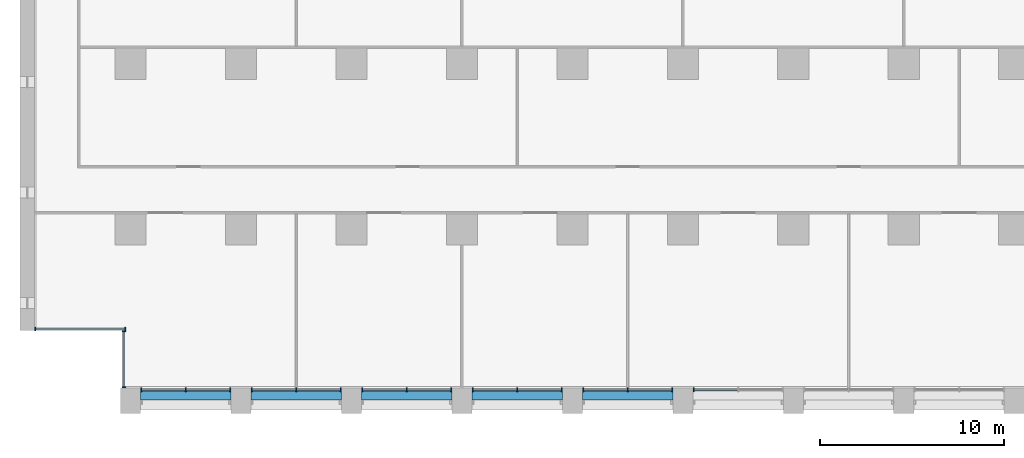
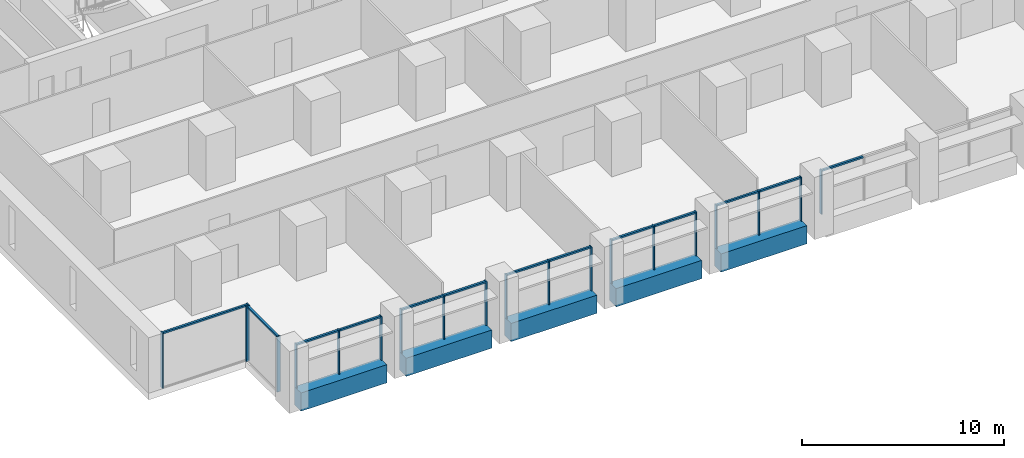
# One storey, part 2 of 18: 33 members, 5 beams, 8 elements without a shape of their own.
"""IFC4 building model written with IfcOpenShell, lengths in metres."""

import ifcopenshell
import ifcopenshell.guid

model = None  # the IFC model being written
_history = None  # IfcOwnerHistory: only IFC2X3 demands one
_inside = {}  # id of a spatial element -> (the spatial element, [elements in it])
_under = {}  # id of a project, library or spatial element -> (it, [spatial elements below it])
_declared = {}  # id of a project -> (the project, [libraries it declares])
_typed = {}  # id of a type object -> (the type object, [elements of that type])
_made_of = {}  # id of a material, layer set ... -> (it, [elements and type objects made of it])


def new_model(schema):
    """Start an empty IFC model of exactly this schema.

    Asked for "IFC4X3", IfcOpenShell would pick the latest addendum, in which some entities
    have other attributes; the version numbers below select the first issue.
    IFC2X3 requires an IfcOwnerHistory on every rooted entity: one is made here for all.
    """
    global model, _history
    if schema == "IFC4X3":
        model = ifcopenshell.file(schema_version=(4, 3, 0, 0))
    else:
        model = ifcopenshell.file(schema=schema)
    _inside.clear()
    _under.clear()
    _declared.clear()
    _typed.clear()
    _made_of.clear()
    _history = None
    if model.schema == "IFC2X3":
        org = make("IfcOrganization", Name="unknown")
        user = make(
            "IfcPersonAndOrganization",
            ThePerson=make("IfcPerson", FamilyName="unknown"),
            TheOrganization=org,
        )
        app = make(
            "IfcApplication",
            ApplicationDeveloper=org,
            Version="unknown",
            ApplicationFullName="unknown",
            ApplicationIdentifier="unknown",
        )
        _history = make(
            "IfcOwnerHistory",
            OwningUser=user,
            OwningApplication=app,
            ChangeAction="ADDED",
            CreationDate=0,
        )
    return model


def make(cls, **values):
    """One entity of the class cls with the attributes given. An attribute that is None is left unset."""
    return model.create_entity(
        cls, **{name: value for name, value in values.items() if value is not None}
    )


def rooted(cls, **values):
    """An entity with a GlobalId (a new one), such as an element, a storey or a relation."""
    return make(cls, GlobalId=ifcopenshell.guid.new(), OwnerHistory=_history, **values)


def si_unit(unit_type, name, prefix=None):
    """IfcSIUnit, for example si_unit("LENGTHUNIT", "METRE", prefix="MILLI")."""
    return make("IfcSIUnit", UnitType=unit_type, Prefix=prefix, Name=name)


def assignment(units):
    """IfcUnitAssignment: the units of a project."""
    return None if units is None else make("IfcUnitAssignment", Units=units)


def point(xyz):
    """IfcCartesianPoint."""
    return None if xyz is None else make("IfcCartesianPoint", Coordinates=xyz)


def direction(xyz):
    """IfcDirection."""
    return None if xyz is None else make("IfcDirection", DirectionRatios=xyz)


def frame(location, z_axis=None, x_axis=None):
    """IfcAxis2Placement3D, a coordinate frame: its origin and axes. An axis left out is left unset."""
    return make(
        "IfcAxis2Placement3D",
        Location=point(location),
        Axis=direction(z_axis),
        RefDirection=direction(x_axis),
    )


def frame_2d(location, x_axis=None):
    """IfcAxis2Placement2D, a coordinate frame in the plane: its origin and x axis."""
    return make(
        "IfcAxis2Placement2D", Location=point(location), RefDirection=direction(x_axis)
    )


def origin():
    """The frame at (0, 0, 0) with its axes left unset."""
    return frame((0.0, 0.0, 0.0))


def origin_2d():
    """The frame at (0, 0) in the plane with its x axis left unset."""
    return frame_2d((0.0, 0.0))


def place(relative_to, where):
    """IfcLocalPlacement: puts the frame where relative to a parent placement (None: the world)."""
    return make(
        "IfcLocalPlacement", PlacementRelTo=relative_to, RelativePlacement=where
    )


def context(
    kind, dimensions, precision=None, world=None, true_north=None, identifier=None
):
    """IfcGeometricRepresentationContext, for example the 3D "Model" context."""
    return make(
        "IfcGeometricRepresentationContext",
        ContextIdentifier=identifier,
        ContextType=kind,
        CoordinateSpaceDimension=dimensions,
        Precision=precision,
        WorldCoordinateSystem=world,
        TrueNorth=true_north,
    )


def subcontext(parent, identifier, kind, view, scale=None):
    """IfcGeometricRepresentationSubContext, for example "Body" below "Model"."""
    return make(
        "IfcGeometricRepresentationSubContext",
        ContextIdentifier=identifier,
        ContextType=kind,
        ParentContext=parent,
        TargetScale=scale,
        TargetView=view,
    )


def project(units=None, contexts=None):
    """IfcProject with its units and contexts."""
    return rooted(
        "IfcProject",
        Name="project",
        RepresentationContexts=contexts,
        UnitsInContext=assignment(units),
    )


def spatial(cls, under=None, at=None, **own):
    """A site, building, storey or space (cls), placed at a placement, below another one or the project."""
    s = rooted(cls, ObjectPlacement=at, **own)
    if under is not None:
        _under.setdefault(under.id(), (under, []))[1].append(s)
    return s


def profile(cls, at=None, kind="AREA", **sizes):
    """A parametric profile (cls). Its sizes go by their IFC names, for example OverallWidth=200.0."""
    return make(cls, ProfileType=kind, Position=at, **sizes)


def rectangle(**sizes):
    """IfcRectangleProfileDef."""
    return profile("IfcRectangleProfileDef", **sizes)


def extrude(swept, where, along, depth):
    """IfcExtrudedAreaSolid: the profile swept, set in the frame where, extruded along a direction by depth."""
    return make(
        "IfcExtrudedAreaSolid",
        SweptArea=swept,
        Position=where,
        ExtrudedDirection=direction(along),
        Depth=depth,
    )


def shape(context_of_items, identifier, shape_type, items):
    """IfcShapeRepresentation: the items that make up one representation, for example the "Body"."""
    return make(
        "IfcShapeRepresentation",
        ContextOfItems=context_of_items,
        RepresentationIdentifier=identifier,
        RepresentationType=shape_type,
        Items=items,
    )


def material(Name=None, Category=None):
    """IfcMaterial."""
    return make("IfcMaterial", Name=Name, Category=Category)


def material_profile(
    of_material, cross_section, Name=None, Category=None, Priority=None
):
    """IfcMaterialProfile: a cross section and its material."""
    return make(
        "IfcMaterialProfile",
        Name=Name,
        Material=of_material,
        Profile=cross_section,
        Priority=Priority,
        Category=Category,
    )


def profile_set(profiles, Name=None, composite=None):
    """IfcMaterialProfileSet."""
    return make(
        "IfcMaterialProfileSet",
        Name=Name,
        MaterialProfiles=profiles,
        CompositeProfile=composite,
    )


def made_of(thing, what):
    """Note that an element or type object is made of a material, layer set ...; save() writes the relation."""
    if what is not None:
        _made_of.setdefault(what.id(), (what, []))[1].append(thing)
    return thing


def type_object(cls, material=None, **own):
    """A type object (cls), such as IfcWallType, which elements share."""
    return made_of(rooted(cls, **own), material)


def element(
    cls,
    number,
    at=None,
    inside=None,
    cuts=None,
    type_object=None,
    material=None,
    context=None,
    identifier="Body",
    shape_type=None,
    held_by="IfcProductDefinitionShape",
    body=None,
    shapes=None,
    **own,
):
    """One element of the class cls, such as IfcWall. Its Tag is "e" and its number.

    at: its placement. inside: the storey or other place that contains it. cuts: it is an
    opening in that element (IfcRelVoidsElement). A single representation is given by context,
    identifier, shape_type and body (its items); several are given by shapes. held_by: the class
    of the entity that holds the representations. save() writes the other relations.
    """
    e = rooted(cls, Tag="e%d" % number, ObjectPlacement=at, **own)
    if body is not None:
        shapes = [shape(context, identifier, shape_type, body)]
    if shapes is not None:
        e.Representation = make(held_by, Representations=shapes)
    if inside is not None:
        _inside.setdefault(inside.id(), (inside, []))[1].append(e)
    if cuts is not None:
        rooted(
            "IfcRelVoidsElement", RelatingBuildingElement=cuts, RelatedOpeningElement=e
        )
    if type_object is not None:
        _typed.setdefault(type_object.id(), (type_object, []))[1].append(e)
    return made_of(e, material)


def aggregate(whole, parts):
    """IfcRelAggregates: a whole, such as a stair, and the parts it consists of."""
    return rooted("IfcRelAggregates", RelatingObject=whole, RelatedObjects=parts)


def save(model, path):
    """Write the relations noted so far, then the file.

    IfcRelAggregates (storeys below a building ...), IfcRelContainedInSpatialStructure (elements
    in a storey), IfcRelDefinesByType, IfcRelAssociatesMaterial and IfcRelDeclares: one each for
    every whole, place, type object, material and project.
    """
    for whole, parts in _under.values():
        aggregate(whole, parts)
    for where, things in _inside.values():
        rooted(
            "IfcRelContainedInSpatialStructure",
            RelatedElements=things,
            RelatingStructure=where,
        )
    for kind, things in _typed.values():
        rooted("IfcRelDefinesByType", RelatedObjects=things, RelatingType=kind)
    for what, things in _made_of.values():
        rooted("IfcRelAssociatesMaterial", RelatedObjects=things, RelatingMaterial=what)
    for by, libraries in _declared.values():
        rooted("IfcRelDeclares", RelatingContext=by, RelatedDefinitions=libraries)
    model.write(path)


model = new_model("IFC4")

# Units and contexts
model_context = context("Model", 3, precision=1e-05, world=origin(), true_north=direction((0.0, 1.0)))
body_context = subcontext(model_context, "Body", "Model", "MODEL_VIEW")
ifc_project = project(units=[si_unit("LENGTHUNIT", "METRE"), si_unit("AREAUNIT", "SQUARE_METRE"), si_unit("VOLUMEUNIT", "CUBIC_METRE"), si_unit("PLANEANGLEUNIT", "RADIAN"), si_unit("MASSUNIT", "GRAM", prefix="KILO")], contexts=[model_context])

# Site, building, storey
site_placement = place(None, origin())
site = spatial("IfcSite", under=ifc_project, at=site_placement, CompositionType="ELEMENT")
building_placement = place(site_placement, origin())
building = spatial("IfcBuilding", under=site, at=building_placement, Name="Calvaro Tower", CompositionType="ELEMENT")
storey_placement = place(building_placement, frame((0.0, 0.0, 48.75)))
storey = spatial("IfcBuildingStorey", under=building, at=storey_placement, Name="L11", CompositionType="ELEMENT", Elevation=48.75)

# Curtain wall, members
ifc_material_1 = material(Name="Anodised aluminium", Category="aluminium")
curtain_wall_type = type_object("IfcCurtainWallType", Name="Office curtain wall, lower zone", PredefinedType="NOTDEFINED", material=ifc_material_1)
curtain_wall_1_placement = place(storey_placement, origin())
curtain_wall_1 = element("IfcCurtainWall", 1, at=curtain_wall_1_placement, inside=storey, type_object=curtain_wall_type, Name="CW1 south curtain wall", PredefinedType="NOTDEFINED")
ifc_material_2 = material(Name="Anodised aluminium", Category="aluminium")
ifc_material_profile_1 = material_profile(ifc_material_2, rectangle(XDim=0.199951171875, YDim=0.06005859375, at=origin_2d()), Name="Mullion S1 60 x 200")
ifc_profile_set_1 = profile_set([ifc_material_profile_1], Name="Anodised aluminium")
member_type_1 = type_object("IfcMemberType", Name="Mullion S1 60 x 200", PredefinedType="MULLION", material=ifc_profile_set_1)
member_1_placement = place(storey_placement, frame((6.580078125, 1.300048828125, 0.0), z_axis=(0.0, 0.0, 1.0), x_axis=(0.0, 1.0, 0.0)))
member_1 = element("IfcMember", 2, at=member_1_placement, type_object=member_type_1, Name="CW1 mullion 1", PredefinedType="MULLION", context=body_context, shape_type="SweptSolid", body=[
    extrude(rectangle(XDim=0.199951171875, YDim=0.06005859375, at=origin_2d()), origin(), (0.0, 0.0, 1.0), 2.64990234375),
])
member_2_placement = place(storey_placement, frame((9.0, 1.300048828125, 0.0), z_axis=(0.0, 0.0, 1.0), x_axis=(0.0, 1.0, 0.0)))
member_2 = element("IfcMember", 3, at=member_2_placement, type_object=member_type_1, Name="CW1 mullion 2", PredefinedType="MULLION", context=body_context, shape_type="SweptSolid", body=[
    extrude(rectangle(XDim=0.199951171875, YDim=0.06005859375, at=origin_2d()), origin(), (0.0, 0.0, 1.0), 2.64990234375),
])
member_3_placement = place(storey_placement, frame((11.419921875, 1.300048828125, 0.0), z_axis=(0.0, 0.0, 1.0), x_axis=(0.0, 1.0, 0.0)))
member_3 = element("IfcMember", 4, at=member_3_placement, type_object=member_type_1, Name="CW1 mullion 3", PredefinedType="MULLION", context=body_context, shape_type="SweptSolid", body=[
    extrude(rectangle(XDim=0.199951171875, YDim=0.06005859375, at=origin_2d()), origin(), (0.0, 0.0, 1.0), 2.64990234375),
])

curtain_wall_2_placement = place(storey_placement, origin())
curtain_wall_2 = element("IfcCurtainWall", 5, at=curtain_wall_2_placement, inside=storey, type_object=curtain_wall_type, Name="CW1 south curtain wall", PredefinedType="NOTDEFINED")
member_4_placement = place(storey_placement, frame((12.580078125, 1.300048828125, 0.0), z_axis=(0.0, 0.0, 1.0), x_axis=(0.0, 1.0, 0.0)))
member_4 = element("IfcMember", 6, at=member_4_placement, type_object=member_type_1, Name="CW1 mullion 1", PredefinedType="MULLION", context=body_context, shape_type="SweptSolid", body=[
    extrude(rectangle(XDim=0.199951171875, YDim=0.06005859375, at=origin_2d()), origin(), (0.0, 0.0, 1.0), 2.64990234375),
])
member_5_placement = place(storey_placement, frame((15.0, 1.300048828125, 0.0), z_axis=(0.0, 0.0, 1.0), x_axis=(0.0, 1.0, 0.0)))
member_5 = element("IfcMember", 7, at=member_5_placement, type_object=member_type_1, Name="CW1 mullion 2", PredefinedType="MULLION", context=body_context, shape_type="SweptSolid", body=[
    extrude(rectangle(XDim=0.199951171875, YDim=0.06005859375, at=origin_2d()), origin(), (0.0, 0.0, 1.0), 2.64990234375),
])
member_6_placement = place(storey_placement, frame((17.419921875, 1.300048828125, 0.0), z_axis=(0.0, 0.0, 1.0), x_axis=(0.0, 1.0, 0.0)))
member_6 = element("IfcMember", 8, at=member_6_placement, type_object=member_type_1, Name="CW1 mullion 3", PredefinedType="MULLION", context=body_context, shape_type="SweptSolid", body=[
    extrude(rectangle(XDim=0.199951171875, YDim=0.06005859375, at=origin_2d()), origin(), (0.0, 0.0, 1.0), 2.64990234375),
])

curtain_wall_3_placement = place(storey_placement, origin())
curtain_wall_3 = element("IfcCurtainWall", 9, at=curtain_wall_3_placement, inside=storey, type_object=curtain_wall_type, Name="CW1 south curtain wall", PredefinedType="NOTDEFINED")
member_7_placement = place(storey_placement, frame((18.580078125, 1.300048828125, 0.0), z_axis=(0.0, 0.0, 1.0), x_axis=(0.0, 1.0, 0.0)))
member_7 = element("IfcMember", 10, at=member_7_placement, type_object=member_type_1, Name="CW1 mullion 1", PredefinedType="MULLION", context=body_context, shape_type="SweptSolid", body=[
    extrude(rectangle(XDim=0.199951171875, YDim=0.06005859375, at=origin_2d()), origin(), (0.0, 0.0, 1.0), 2.64990234375),
])
member_8_placement = place(storey_placement, frame((21.0, 1.300048828125, 0.0), z_axis=(0.0, 0.0, 1.0), x_axis=(0.0, 1.0, 0.0)))
member_8 = element("IfcMember", 11, at=member_8_placement, type_object=member_type_1, Name="CW1 mullion 2", PredefinedType="MULLION", context=body_context, shape_type="SweptSolid", body=[
    extrude(rectangle(XDim=0.199951171875, YDim=0.06005859375, at=origin_2d()), origin(), (0.0, 0.0, 1.0), 2.64990234375),
])
member_9_placement = place(storey_placement, frame((23.419921875, 1.300048828125, 0.0), z_axis=(0.0, 0.0, 1.0), x_axis=(0.0, 1.0, 0.0)))
member_9 = element("IfcMember", 12, at=member_9_placement, type_object=member_type_1, Name="CW1 mullion 3", PredefinedType="MULLION", context=body_context, shape_type="SweptSolid", body=[
    extrude(rectangle(XDim=0.199951171875, YDim=0.06005859375, at=origin_2d()), origin(), (0.0, 0.0, 1.0), 2.64990234375),
])

curtain_wall_4_placement = place(storey_placement, origin())
curtain_wall_4 = element("IfcCurtainWall", 13, at=curtain_wall_4_placement, inside=storey, type_object=curtain_wall_type, Name="CW1 south curtain wall", PredefinedType="NOTDEFINED")
member_10_placement = place(storey_placement, frame((24.580078125, 1.300048828125, 0.0), z_axis=(0.0, 0.0, 1.0), x_axis=(0.0, 1.0, 0.0)))
member_10 = element("IfcMember", 14, at=member_10_placement, type_object=member_type_1, Name="CW1 mullion 1", PredefinedType="MULLION", context=body_context, shape_type="SweptSolid", body=[
    extrude(rectangle(XDim=0.199951171875, YDim=0.06005859375, at=origin_2d()), origin(), (0.0, 0.0, 1.0), 2.64990234375),
])
member_11_placement = place(storey_placement, frame((27.0, 1.300048828125, 0.0), z_axis=(0.0, 0.0, 1.0), x_axis=(0.0, 1.0, 0.0)))
member_11 = element("IfcMember", 15, at=member_11_placement, type_object=member_type_1, Name="CW1 mullion 2", PredefinedType="MULLION", context=body_context, shape_type="SweptSolid", body=[
    extrude(rectangle(XDim=0.199951171875, YDim=0.06005859375, at=origin_2d()), origin(), (0.0, 0.0, 1.0), 2.64990234375),
])
member_12_placement = place(storey_placement, frame((29.419921875, 1.300048828125, 0.0), z_axis=(0.0, 0.0, 1.0), x_axis=(0.0, 1.0, 0.0)))
member_12 = element("IfcMember", 16, at=member_12_placement, type_object=member_type_1, Name="CW1 mullion 3", PredefinedType="MULLION", context=body_context, shape_type="SweptSolid", body=[
    extrude(rectangle(XDim=0.199951171875, YDim=0.06005859375, at=origin_2d()), origin(), (0.0, 0.0, 1.0), 2.64990234375),
])

curtain_wall_5_placement = place(storey_placement, origin())
curtain_wall_5 = element("IfcCurtainWall", 17, at=curtain_wall_5_placement, inside=storey, type_object=curtain_wall_type, Name="CW1 south curtain wall", PredefinedType="NOTDEFINED")
member_13_placement = place(storey_placement, frame((30.580078125, 1.300048828125, 0.0), z_axis=(0.0, 0.0, 1.0), x_axis=(0.0, 1.0, 0.0)))
member_13 = element("IfcMember", 18, at=member_13_placement, type_object=member_type_1, Name="CW1 mullion 1", PredefinedType="MULLION", context=body_context, shape_type="SweptSolid", body=[
    extrude(rectangle(XDim=0.199951171875, YDim=0.06005859375, at=origin_2d()), origin(), (0.0, 0.0, 1.0), 2.64990234375),
])
member_14_placement = place(storey_placement, frame((33.0, 1.300048828125, 0.0), z_axis=(0.0, 0.0, 1.0), x_axis=(0.0, 1.0, 0.0)))
member_14 = element("IfcMember", 19, at=member_14_placement, type_object=member_type_1, Name="CW1 mullion 2", PredefinedType="MULLION", context=body_context, shape_type="SweptSolid", body=[
    extrude(rectangle(XDim=0.199951171875, YDim=0.06005859375, at=origin_2d()), origin(), (0.0, 0.0, 1.0), 2.64990234375),
])
member_15_placement = place(storey_placement, frame((35.419921875, 1.300048828125, 0.0), z_axis=(0.0, 0.0, 1.0), x_axis=(0.0, 1.0, 0.0)))
member_15 = element("IfcMember", 20, at=member_15_placement, type_object=member_type_1, Name="CW1 mullion 3", PredefinedType="MULLION", context=body_context, shape_type="SweptSolid", body=[
    extrude(rectangle(XDim=0.199951171875, YDim=0.06005859375, at=origin_2d()), origin(), (0.0, 0.0, 1.0), 2.64990234375),
])

# Curtain wall, member
curtain_wall_6_placement = place(storey_placement, origin())
curtain_wall_6 = element("IfcCurtainWall", 21, at=curtain_wall_6_placement, inside=storey, type_object=curtain_wall_type, Name="CW1 south curtain wall", PredefinedType="NOTDEFINED")
member_16_placement = place(storey_placement, frame((36.580078125, 1.300048828125, 0.0), z_axis=(0.0, 0.0, 1.0), x_axis=(0.0, 1.0, 0.0)))
member_16 = element("IfcMember", 22, at=member_16_placement, type_object=member_type_1, Name="CW1 mullion 1", PredefinedType="MULLION", context=body_context, shape_type="SweptSolid", body=[
    extrude(rectangle(XDim=0.199951171875, YDim=0.06005859375, at=origin_2d()), origin(), (0.0, 0.0, 1.0), 2.64990234375),
])

# Curtain wall, members
curtain_wall_7_placement = place(storey_placement, origin())
curtain_wall_7 = element("IfcCurtainWall", 23, at=curtain_wall_7_placement, inside=storey, type_object=curtain_wall_type, Name="CW1 corner curtain wall", PredefinedType="NOTDEFINED")
member_17_placement = place(storey_placement, frame((5.64990234375, 1.429931640625, 0.0), z_axis=(0.0, 0.0, 1.0), x_axis=(-1.0, 0.0, 0.0)))
member_17 = element("IfcMember", 24, at=member_17_placement, type_object=member_type_1, Name="CW1 mullion 1", PredefinedType="MULLION", context=body_context, shape_type="SweptSolid", body=[
    extrude(rectangle(XDim=0.199951171875, YDim=0.06005859375, at=origin_2d()), origin(), (0.0, 0.0, 1.0), 3.35009765625),
])
member_18_placement = place(storey_placement, frame((5.64990234375, 4.469970703125, 0.0), z_axis=(0.0, 0.0, 1.0), x_axis=(-1.0, 0.0, 0.0)))
member_18 = element("IfcMember", 25, at=member_18_placement, type_object=member_type_1, Name="CW1 mullion 2", PredefinedType="MULLION", context=body_context, shape_type="SweptSolid", body=[
    extrude(rectangle(XDim=0.199951171875, YDim=0.06005859375, at=origin_2d()), origin(), (0.0, 0.0, 1.0), 3.35009765625),
])

curtain_wall_8_placement = place(storey_placement, origin())
curtain_wall_8 = element("IfcCurtainWall", 26, at=curtain_wall_8_placement, inside=storey, type_object=curtain_wall_type, Name="CW1 corner curtain wall", PredefinedType="NOTDEFINED")
member_19_placement = place(storey_placement, frame((0.830078125, 4.60009765625, 0.0), z_axis=(0.0, 0.0, 1.0), x_axis=(0.0, 1.0, 0.0)))
member_19 = element("IfcMember", 27, at=member_19_placement, type_object=member_type_1, Name="CW1 mullion 1", PredefinedType="MULLION", context=body_context, shape_type="SweptSolid", body=[
    extrude(rectangle(XDim=0.199951171875, YDim=0.06005859375, at=origin_2d()), origin(), (0.0, 0.0, 1.0), 3.35009765625),
])
member_20_placement = place(storey_placement, frame((5.719970703125, 4.60009765625, 0.0), z_axis=(0.0, 0.0, 1.0), x_axis=(0.0, 1.0, 0.0)))
member_20 = element("IfcMember", 28, at=member_20_placement, type_object=member_type_1, Name="CW1 mullion 2", PredefinedType="MULLION", context=body_context, shape_type="SweptSolid", body=[
    extrude(rectangle(XDim=0.199951171875, YDim=0.06005859375, at=origin_2d()), origin(), (0.0, 0.0, 1.0), 3.35009765625),
])

# Beams
ifc_material_3 = material(Name="Concrete C50/60 precast", Category="concrete")
ifc_material_profile_2 = material_profile(ifc_material_3, rectangle(XDim=0.64990234375, YDim=1.10009765625, at=origin_2d()), Name="RC 650x1100")
ifc_profile_set_2 = profile_set([ifc_material_profile_2], Name="Concrete C50/60 precast")
beam_type = type_object("IfcBeamType", Name="Spandrel beam 650x1100 C50/60", PredefinedType="SPANDREL", material=ifc_profile_set_2)
for number, where, z_axis, x_axis, name in (
    (29, (6.550048828125, 1.074951171875, -0.550048828125), (1.0, 0.0, 0.0), (0.0, 1.0, 0.0), "Spandrel beam"),
    (30, (12.550048828125, 1.074951171875, -0.550048828125), (1.0, 0.0, 0.0), (0.0, 1.0, 0.0), "Spandrel beam"),
    (31, (18.550048828125, 1.074951171875, -0.550048828125), (1.0, 0.0, 0.0), (0.0, 1.0, 0.0), "Spandrel beam"),
    (32, (24.550048828125, 1.074951171875, -0.550048828125), (1.0, 0.0, 0.0), (0.0, 1.0, 0.0), "Spandrel beam"),
    (33, (30.550048828125, 1.074951171875, -0.550048828125), (1.0, 0.0, 0.0), (0.0, 1.0, 0.0), "Spandrel beam"),
):
    element("IfcBeam", number, at=place(storey_placement, frame(where, z_axis=z_axis, x_axis=x_axis)), inside=storey, type_object=beam_type, Name=name, PredefinedType="SPANDREL", context=body_context, shape_type="SweptSolid", body=[
        extrude(rectangle(XDim=0.64990234375, YDim=1.10009765625, at=origin_2d()), origin(), (0.0, 0.0, 1.0), 4.89990234375),
    ])

# Member
ifc_material_4 = material(Name="Anodised aluminium", Category="aluminium")
ifc_material_profile_3 = material_profile(ifc_material_4, rectangle(XDim=0.1201171875, YDim=0.10009765625, at=origin_2d()), Name="Transom S1 100 x 120")
ifc_profile_set_3 = profile_set([ifc_material_profile_3], Name="Anodised aluminium")
member_type_2 = type_object("IfcMemberType", Name="Transom S1 100 x 120", PredefinedType="USERDEFINED", material=ifc_profile_set_3)
member_21_placement = place(storey_placement, frame((6.610107421875, 1.300048828125, 2.60009765625), z_axis=(1.0, 0.0, 0.0), x_axis=(0.0, 1.0, 0.0)))
member_21 = element("IfcMember", 34, at=member_21_placement, type_object=member_type_2, Name="CW1 transom 1.1", ObjectType="TRANSOM", PredefinedType="USERDEFINED", context=body_context, shape_type="SweptSolid", body=[
    extrude(rectangle(XDim=0.1201171875, YDim=0.10009765625, at=origin_2d()), origin(), (0.0, 0.0, 1.0), 2.35986328125),
])

member_22_placement = place(storey_placement, frame((9.030029296875, 1.300048828125, 2.60009765625), z_axis=(1.0, 0.0, 0.0), x_axis=(0.0, 1.0, 0.0)))
member_22 = element("IfcMember", 35, at=member_22_placement, type_object=member_type_2, Name="CW1 transom 2.1", ObjectType="TRANSOM", PredefinedType="USERDEFINED", context=body_context, shape_type="SweptSolid", body=[
    extrude(rectangle(XDim=0.1201171875, YDim=0.10009765625, at=origin_2d()), origin(), (0.0, 0.0, 1.0), 2.35986328125),
])

aggregate(curtain_wall_1, [member_1, member_2, member_3, member_21, member_22])

member_23_placement = place(storey_placement, frame((12.610107421875, 1.300048828125, 2.60009765625), z_axis=(1.0, 0.0, 0.0), x_axis=(0.0, 1.0, 0.0)))
member_23 = element("IfcMember", 36, at=member_23_placement, type_object=member_type_2, Name="CW1 transom 1.1", ObjectType="TRANSOM", PredefinedType="USERDEFINED", context=body_context, shape_type="SweptSolid", body=[
    extrude(rectangle(XDim=0.1201171875, YDim=0.10009765625, at=origin_2d()), origin(), (0.0, 0.0, 1.0), 2.35986328125),
])

member_24_placement = place(storey_placement, frame((15.030029296875, 1.300048828125, 2.60009765625), z_axis=(1.0, 0.0, 0.0), x_axis=(0.0, 1.0, 0.0)))
member_24 = element("IfcMember", 37, at=member_24_placement, type_object=member_type_2, Name="CW1 transom 2.1", ObjectType="TRANSOM", PredefinedType="USERDEFINED", context=body_context, shape_type="SweptSolid", body=[
    extrude(rectangle(XDim=0.1201171875, YDim=0.10009765625, at=origin_2d()), origin(), (0.0, 0.0, 1.0), 2.35986328125),
])

aggregate(curtain_wall_2, [member_4, member_5, member_6, member_23, member_24])

member_25_placement = place(storey_placement, frame((18.610107421875, 1.300048828125, 2.60009765625), z_axis=(1.0, 0.0, 0.0), x_axis=(0.0, 1.0, 0.0)))
member_25 = element("IfcMember", 38, at=member_25_placement, type_object=member_type_2, Name="CW1 transom 1.1", ObjectType="TRANSOM", PredefinedType="USERDEFINED", context=body_context, shape_type="SweptSolid", body=[
    extrude(rectangle(XDim=0.1201171875, YDim=0.10009765625, at=origin_2d()), origin(), (0.0, 0.0, 1.0), 2.35986328125),
])

member_26_placement = place(storey_placement, frame((21.030029296875, 1.300048828125, 2.60009765625), z_axis=(1.0, 0.0, 0.0), x_axis=(0.0, 1.0, 0.0)))
member_26 = element("IfcMember", 39, at=member_26_placement, type_object=member_type_2, Name="CW1 transom 2.1", ObjectType="TRANSOM", PredefinedType="USERDEFINED", context=body_context, shape_type="SweptSolid", body=[
    extrude(rectangle(XDim=0.1201171875, YDim=0.10009765625, at=origin_2d()), origin(), (0.0, 0.0, 1.0), 2.35986328125),
])

aggregate(curtain_wall_3, [member_7, member_8, member_9, member_25, member_26])

member_27_placement = place(storey_placement, frame((24.610107421875, 1.300048828125, 2.60009765625), z_axis=(1.0, 0.0, 0.0), x_axis=(0.0, 1.0, 0.0)))
member_27 = element("IfcMember", 40, at=member_27_placement, type_object=member_type_2, Name="CW1 transom 1.1", ObjectType="TRANSOM", PredefinedType="USERDEFINED", context=body_context, shape_type="SweptSolid", body=[
    extrude(rectangle(XDim=0.1201171875, YDim=0.10009765625, at=origin_2d()), origin(), (0.0, 0.0, 1.0), 2.35986328125),
])

member_28_placement = place(storey_placement, frame((27.030029296875, 1.300048828125, 2.60009765625), z_axis=(1.0, 0.0, 0.0), x_axis=(0.0, 1.0, 0.0)))
member_28 = element("IfcMember", 41, at=member_28_placement, type_object=member_type_2, Name="CW1 transom 2.1", ObjectType="TRANSOM", PredefinedType="USERDEFINED", context=body_context, shape_type="SweptSolid", body=[
    extrude(rectangle(XDim=0.1201171875, YDim=0.10009765625, at=origin_2d()), origin(), (0.0, 0.0, 1.0), 2.35986328125),
])

aggregate(curtain_wall_4, [member_10, member_11, member_12, member_27, member_28])

member_29_placement = place(storey_placement, frame((30.610107421875, 1.300048828125, 2.60009765625), z_axis=(1.0, 0.0, 0.0), x_axis=(0.0, 1.0, 0.0)))
member_29 = element("IfcMember", 42, at=member_29_placement, type_object=member_type_2, Name="CW1 transom 1.1", ObjectType="TRANSOM", PredefinedType="USERDEFINED", context=body_context, shape_type="SweptSolid", body=[
    extrude(rectangle(XDim=0.1201171875, YDim=0.10009765625, at=origin_2d()), origin(), (0.0, 0.0, 1.0), 2.35986328125),
])

member_30_placement = place(storey_placement, frame((33.030029296875, 1.300048828125, 2.60009765625), z_axis=(1.0, 0.0, 0.0), x_axis=(0.0, 1.0, 0.0)))
member_30 = element("IfcMember", 43, at=member_30_placement, type_object=member_type_2, Name="CW1 transom 2.1", ObjectType="TRANSOM", PredefinedType="USERDEFINED", context=body_context, shape_type="SweptSolid", body=[
    extrude(rectangle(XDim=0.1201171875, YDim=0.10009765625, at=origin_2d()), origin(), (0.0, 0.0, 1.0), 2.35986328125),
])

aggregate(curtain_wall_5, [member_13, member_14, member_15, member_29, member_30])

member_31_placement = place(storey_placement, frame((36.610107421875, 1.300048828125, 2.60009765625), z_axis=(1.0, 0.0, 0.0), x_axis=(0.0, 1.0, 0.0)))
member_31 = element("IfcMember", 44, at=member_31_placement, type_object=member_type_2, Name="CW1 transom 1.1", ObjectType="TRANSOM", PredefinedType="USERDEFINED", context=body_context, shape_type="SweptSolid", body=[
    extrude(rectangle(XDim=0.1201171875, YDim=0.10009765625, at=origin_2d()), origin(), (0.0, 0.0, 1.0), 2.35986328125),
])

aggregate(curtain_wall_6, [member_16, member_31])

member_32_placement = place(storey_placement, frame((5.64990234375, 1.4599609375, 3.300048828125), z_axis=(0.0, 1.0, 0.0), x_axis=(-1.0, 0.0, 0.0)))
member_32 = element("IfcMember", 45, at=member_32_placement, type_object=member_type_2, Name="CW1 transom 1.1", ObjectType="TRANSOM", PredefinedType="USERDEFINED", context=body_context, shape_type="SweptSolid", body=[
    extrude(rectangle(XDim=0.1201171875, YDim=0.10009765625, at=origin_2d()), origin(), (0.0, 0.0, 1.0), 2.97998046875),
])

aggregate(curtain_wall_7, [member_17, member_18, member_32])

member_33_placement = place(storey_placement, frame((0.860107421875, 4.60009765625, 3.300048828125), z_axis=(1.0, 0.0, 0.0), x_axis=(0.0, 1.0, 0.0)))
member_33 = element("IfcMember", 46, at=member_33_placement, type_object=member_type_2, Name="CW1 transom 1.1", ObjectType="TRANSOM", PredefinedType="USERDEFINED", context=body_context, shape_type="SweptSolid", body=[
    extrude(rectangle(XDim=0.1201171875, YDim=0.10009765625, at=origin_2d()), origin(), (0.0, 0.0, 1.0), 4.829833984375),
])

aggregate(curtain_wall_8, [member_19, member_20, member_33])

save(model, "model.ifc")
